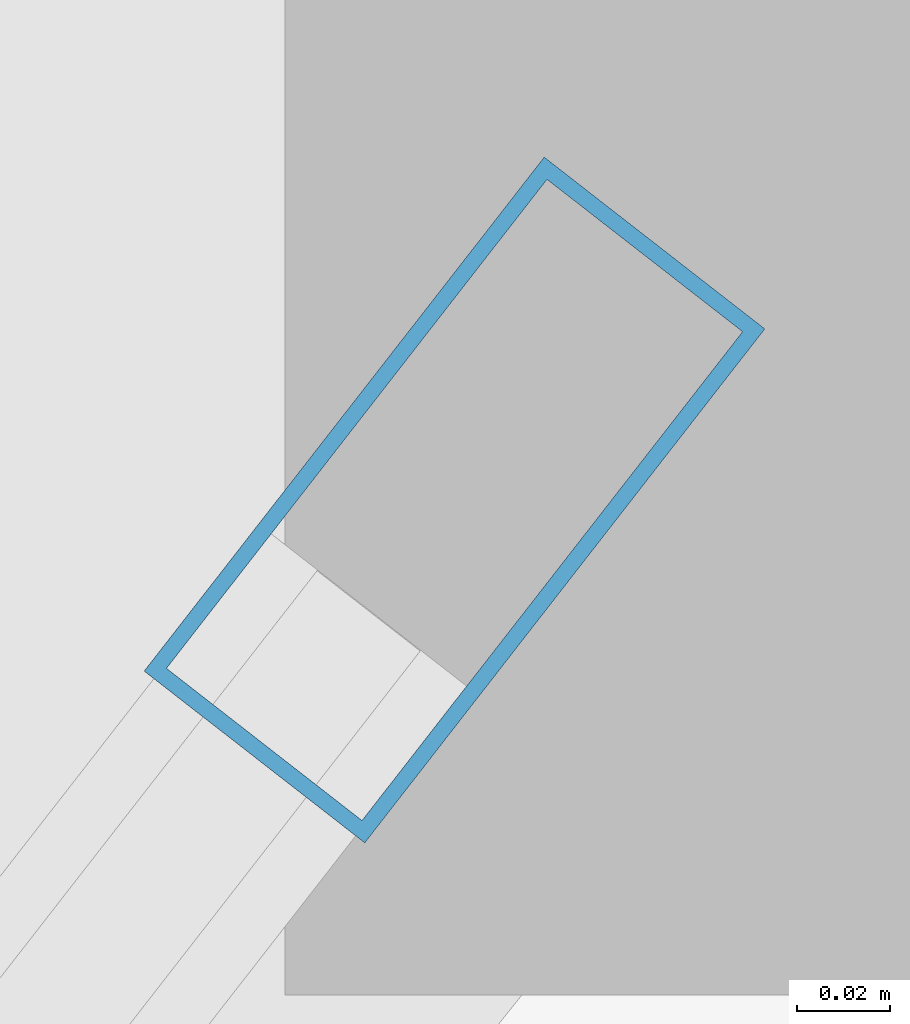
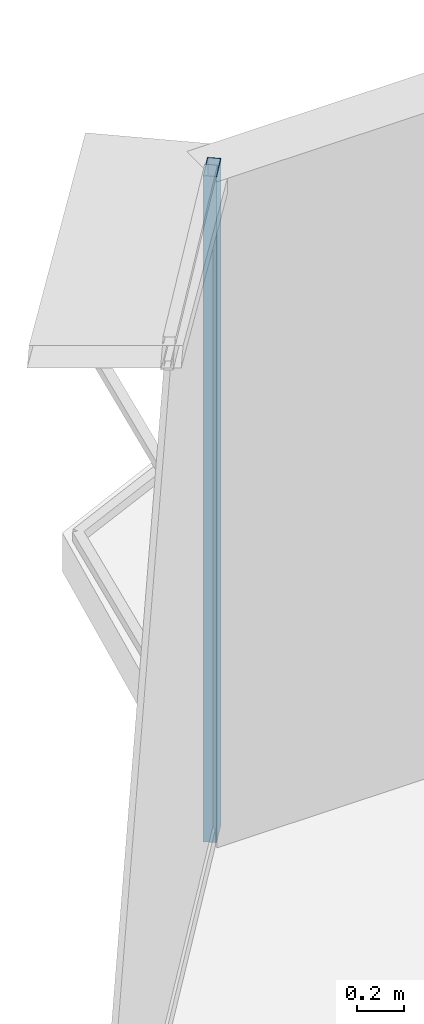
# One storey, part 24 of 39: 1 member, 1 element without a shape of its own.
"""IFC4 building model written with IfcOpenShell, lengths in metres."""

from ifc_helpers import new_model, si_unit, direction, frame, origin, origin_2d, place, context, subcontext, project, spatial, hollow_rectangle, extrude, source, transform, mapped, material, layer, layer_set, material_profile, profile_set, type_object, element, aggregate, save


model = new_model("IFC4")

# Units and contexts
model_context = context("Model", 3, precision=1e-05, world=origin(), true_north=direction((0.0, 1.0)))
body_context = subcontext(model_context, "Body", "Model", "MODEL_VIEW")
ifc_project = project(units=[si_unit("LENGTHUNIT", "METRE"), si_unit("AREAUNIT", "SQUARE_METRE"), si_unit("VOLUMEUNIT", "CUBIC_METRE"), si_unit("PLANEANGLEUNIT", "RADIAN"), si_unit("MASSUNIT", "GRAM", prefix="KILO"), si_unit("THERMODYNAMICTEMPERATUREUNIT", "KELVIN"), si_unit("POWERUNIT", "WATT")], contexts=[model_context])

# Site, building, storey
site_placement = place(None, origin())
site = spatial("IfcSite", under=ifc_project, at=site_placement, CompositionType="ELEMENT")
building_placement = place(site_placement, origin())
building = spatial("IfcBuilding", under=site, at=building_placement, Name="Yunzhuo Pagoda Commons", CompositionType="ELEMENT")
storey_placement = place(building_placement, frame((0.0, 0.0, 296.2099609375)))
storey = spatial("IfcBuildingStorey", under=building, at=storey_placement, Name="L74", CompositionType="ELEMENT", Elevation=296.2099609375)

# Curtain wall, member
ifc_material = material(Name="Anodized aluminium 6063-T6", Category="aluminium")
ifc_layer = layer(ifc_material, 0.139892578125)
ifc_layer_set = layer_set([ifc_layer], Name="Anodized aluminium 6063-T6")
curtain_wall_type = type_object("IfcCurtainWallType", Name="CW-HI High-Zone Ribbon Curtain Wall", PredefinedType="NOTDEFINED", material=ifc_layer_set)
curtain_wall_placement = place(storey_placement, origin())
curtain_wall = element("IfcCurtainWall", 1, at=curtain_wall_placement, inside=storey, type_object=curtain_wall_type, Name="L74 curtain wall CW-L74-F3B1", PredefinedType="NOTDEFINED")
ifc_material_profile = material_profile(ifc_material, hollow_rectangle(XDim=0.06005859375, YDim=0.139892578125, WallThickness=0.00341796875, at=origin_2d()), Name="Anodized aluminium 6063-T6")
ifc_profile_set = profile_set([ifc_material_profile], Name="Anodized aluminium 6063-T6")
member_type = type_object("IfcMemberType", Name="CW-HI-M Mullion RHS 140x60x3.5", PredefinedType="MULLION", material=ifc_profile_set)
shared_shape = source(origin(), body_context, "Body", "SweptSolid", [
    extrude(hollow_rectangle(XDim=0.06005859375, YDim=0.139892578125, WallThickness=0.00341796875, at=origin_2d()), origin(), (0.0, 0.0, 1.0), 3.469970703125),
])
member_placement = place(storey_placement, frame((44.50146484375, 75.7666015625, 0.0), z_axis=(0.0, 0.0, 1.0), x_axis=(0.789102923127, -0.614261000482, 0.0)))
member = element("IfcMember", 2, at=member_placement, type_object=member_type, Name="CW mullion 1", PredefinedType="MULLION", context=body_context, shape_type="MappedRepresentation", body=[
    mapped(shared_shape, transform((0.0, 0.0, 0.0), scale=1.0)),
])
aggregate(curtain_wall, [member])

save(model, "model.ifc")
